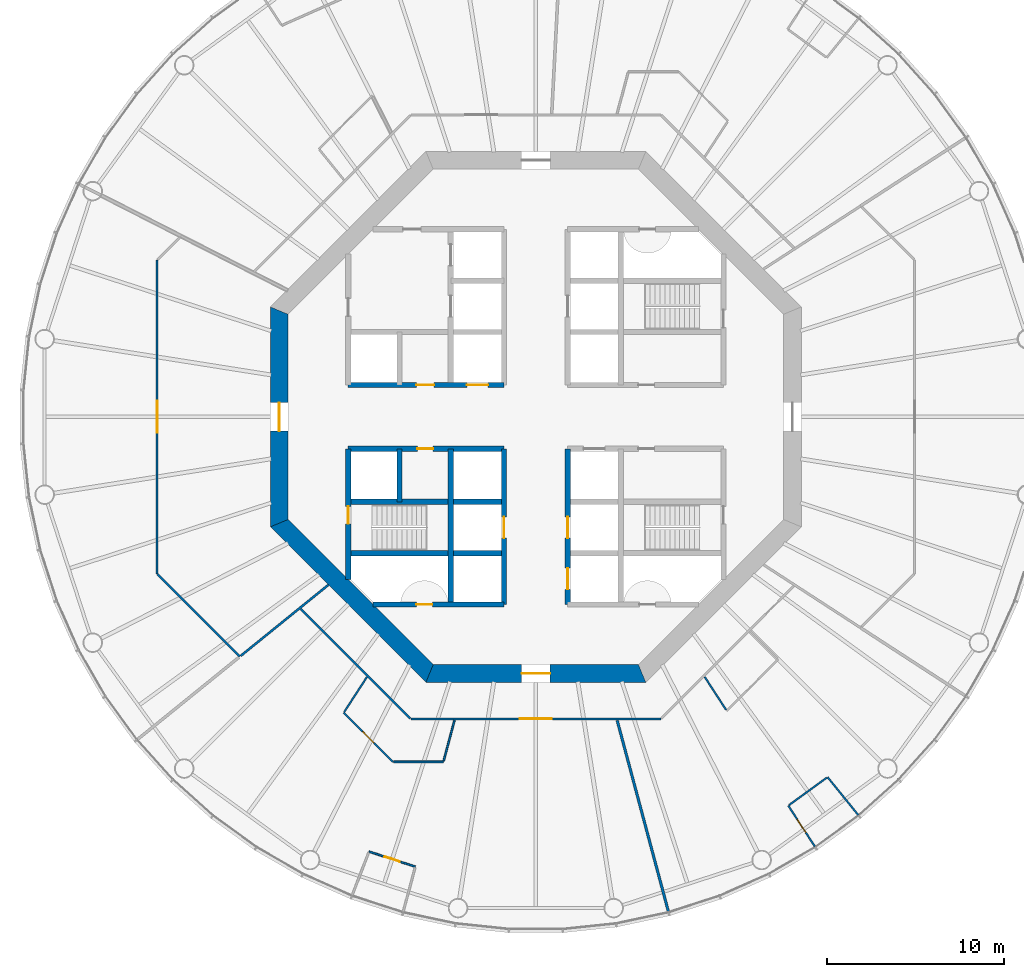
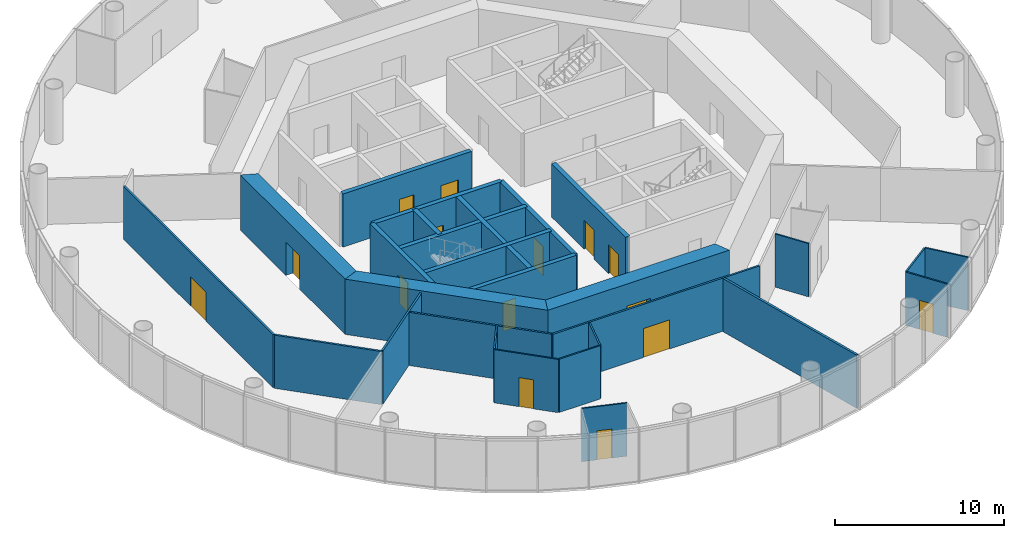
# One storey, part 3 of 13: 28 walls, 15 doors, 15 openings.
"""IFC4 building model written with IfcOpenShell, lengths in metres."""

from ifc_helpers import new_model, si_unit, direction, frame, frame_2d, origin, place, context, subcontext, project, spatial, polyline, rectangle, outline, extrude, material, layer, layer_set, type_object, element, fill, save


model = new_model("IFC4")

# Units and contexts
model_context = context("Model", 3, precision=1e-05, world=origin(), true_north=direction((0.0, 1.0)))
body_context = subcontext(model_context, "Body", "Model", "MODEL_VIEW")
ifc_project = project(units=[si_unit("LENGTHUNIT", "METRE"), si_unit("AREAUNIT", "SQUARE_METRE"), si_unit("VOLUMEUNIT", "CUBIC_METRE"), si_unit("PLANEANGLEUNIT", "RADIAN"), si_unit("MASSUNIT", "GRAM", prefix="KILO")], contexts=[model_context])

# Site, building, storey
site_placement = place(None, origin())
site = spatial("IfcSite", under=ifc_project, at=site_placement, CompositionType="ELEMENT")
building_placement = place(site_placement, origin())
building = spatial("IfcBuilding", under=site, at=building_placement, Name="Entoto Ring Tower", CompositionType="ELEMENT")
storey_placement = place(building_placement, frame((0.0, 0.0, 168.0)))
storey = spatial("IfcBuildingStorey", under=building, at=storey_placement, Name="L38", CompositionType="ELEMENT", Elevation=168.0)

# Wall, openings, doors
ifc_material_1 = material(Name="Concrete C40/50", Category="concrete")
ifc_layer_1 = layer(ifc_material_1, 0.300048828125)
ifc_layer_set_1 = layer_set([ifc_layer_1], Name="Concrete C40/50")
wall_type_1 = type_object("IfcWallType", Name="Core enclosure wall 300 mm reinforced concrete", PredefinedType="SOLIDWALL", material=ifc_layer_set_1)
wall_1_placement = place(storey_placement, frame((91.800048828125, 69.39990234375, 0.0), z_axis=(0.0, 0.0, 1.0), x_axis=(0.0, 1.0, 0.0)))
wall_1 = element("IfcWall", 1, at=wall_1_placement, inside=storey, type_object=wall_type_1, Name="wall-L38-005", PredefinedType="SOLIDWALL", context=body_context, shape_type="SweptSolid", body=[
    extrude(rectangle(XDim=8.800048828125, YDim=0.300048828125, at=frame_2d((4.39990234375, 0.0))), origin(), (0.0, 0.0, 1.0), 3.85009765625),
])
opening_1_placement = place(wall_1_placement, frame((3.75, 0.0, 0.0)))
opening_1 = element("IfcOpeningElement", 2, at=opening_1_placement, cuts=wall_1, Name="Opening LD", PredefinedType="OPENING", context=body_context, shape_type="SweptSolid", body=[
    extrude(rectangle(XDim=1.199951171875, YDim=2.10009765625, at=frame_2d((0.60009765625, 1.050048828125))), frame((0.0, 0.16015625, 0.0), z_axis=(0.0, -1.0, 0.0), x_axis=(1.0, 0.0, 0.0)), (0.0, 0.0, 1.0), 0.320068359375),
])
opening_2_placement = place(wall_1_placement, frame((0.85009765625, 0.0, 0.0)))
opening_2 = element("IfcOpeningElement", 3, at=opening_2_placement, cuts=wall_1, Name="Opening LD", PredefinedType="OPENING", context=body_context, shape_type="SweptSolid", body=[
    extrude(rectangle(XDim=1.199951171875, YDim=2.10009765625, at=frame_2d((0.60009765625, 1.050048828125))), frame((0.0, 0.16015625, 0.0), z_axis=(0.0, -1.0, 0.0), x_axis=(1.0, 0.0, 0.0)), (0.0, 0.0, 1.0), 0.320068359375),
])
ifc_material_2 = material(Name="Steel and glass door leaf", Category="steel")
ifc_layer_2 = layer(ifc_material_2, 0.050048828125)
ifc_layer_set_2 = layer_set([ifc_layer_2], Name="Steel and glass door leaf")
door_type_1 = type_object("IfcDoorType", Name="Landing door 1200 x 2100 sliding", OperationType="DOUBLE_DOOR_SLIDING", PredefinedType="DOOR", material=ifc_layer_set_2)
door_1_placement = place(opening_1_placement, origin())
door_1 = element("IfcDoor", 4, at=door_1_placement, inside=storey, type_object=door_type_1, Name="Landing door LB2-MR", OperationType="SLIDING_TO_RIGHT", OverallHeight=2.10009765625, OverallWidth=1.199951171875, PredefinedType="DOOR", context=body_context, shape_type="SweptSolid", body=[
    extrude(rectangle(XDim=1.199951171875, YDim=2.10009765625, at=frame_2d((0.60009765625, 1.050048828125))), frame((0.0, 0.02490234375, 0.0), z_axis=(0.0, -1.0, 0.0), x_axis=(1.0, 0.0, 0.0)), (0.0, 0.0, 1.0), 0.050048828125),
])
fill(opening_1, door_1)
door_2_placement = place(opening_2_placement, origin())
door_2 = element("IfcDoor", 5, at=door_2_placement, inside=storey, type_object=door_type_1, Name="Landing door LB3-MR", OperationType="SLIDING_TO_RIGHT", OverallHeight=2.10009765625, OverallWidth=1.199951171875, PredefinedType="DOOR", context=body_context, shape_type="SweptSolid", body=[
    extrude(rectangle(XDim=1.199951171875, YDim=2.10009765625, at=frame_2d((0.60009765625, 1.050048828125))), frame((0.0, 0.02490234375, 0.0), z_axis=(0.0, -1.0, 0.0), x_axis=(1.0, 0.0, 0.0)), (0.0, 0.0, 1.0), 0.050048828125),
])
fill(opening_2, door_2)

# Wall, opening, door
wall_2_placement = place(storey_placement, frame((88.199951171875, 69.39990234375, 0.0), z_axis=(0.0, 0.0, 1.0), x_axis=(0.0, 1.0, 0.0)))
wall_2 = element("IfcWall", 6, at=wall_2_placement, inside=storey, type_object=wall_type_1, Name="wall-L38-007", PredefinedType="SOLIDWALL", context=body_context, shape_type="SweptSolid", body=[
    extrude(rectangle(XDim=8.800048828125, YDim=0.300048828125, at=frame_2d((4.39990234375, 0.0))), origin(), (0.0, 0.0, 1.0), 3.85009765625),
])
opening_3_placement = place(wall_2_placement, frame((3.75, 0.0, 0.0)))
opening_3 = element("IfcOpeningElement", 7, at=opening_3_placement, cuts=wall_2, Name="Opening LD", PredefinedType="OPENING", context=body_context, shape_type="SweptSolid", body=[
    extrude(rectangle(XDim=1.199951171875, YDim=2.10009765625, at=frame_2d((0.60009765625, 1.050048828125))), frame((0.0, 0.16015625, 0.0), z_axis=(0.0, -1.0, 0.0), x_axis=(1.0, 0.0, 0.0)), (0.0, 0.0, 1.0), 0.320068359375),
])
door_3_placement = place(opening_3_placement, origin())
door_3 = element("IfcDoor", 8, at=door_3_placement, inside=storey, type_object=door_type_1, Name="Landing door LB4-MR", OperationType="SLIDING_TO_RIGHT", OverallHeight=2.10009765625, OverallWidth=1.199951171875, PredefinedType="DOOR", context=body_context, shape_type="SweptSolid", body=[
    extrude(rectangle(XDim=1.199951171875, YDim=2.10009765625, at=frame_2d((0.60009765625, 1.050048828125))), frame((0.0, 0.02490234375, 0.0), z_axis=(0.0, -1.0, 0.0), x_axis=(1.0, 0.0, 0.0)), (0.0, 0.0, 1.0), 0.050048828125),
])
fill(opening_3, door_3)

# Walls
wall_3_placement = place(storey_placement, frame((85.199951171875, 69.39990234375, 0.0), z_axis=(0.0, 0.0, 1.0), x_axis=(0.0, 1.0, 0.0)))
element("IfcWall", 9, at=wall_3_placement, inside=storey, type_object=wall_type_1, Name="wall-L38-009", PredefinedType="SOLIDWALL", context=body_context, shape_type="SweptSolid", body=[
    extrude(rectangle(XDim=8.800048828125, YDim=0.300048828125, at=frame_2d((4.39990234375, 0.0))), origin(), (0.0, 0.0, 1.0), 3.85009765625),
])
wall_4_placement = place(storey_placement, frame((82.300048828125, 75.199951171875, 0.0), z_axis=(0.0, 0.0, 1.0), x_axis=(0.0, 1.0, 0.0)))
element("IfcWall", 10, at=wall_4_placement, inside=storey, type_object=wall_type_1, Name="wall-L38-011", PredefinedType="SOLIDWALL", context=body_context, shape_type="SweptSolid", body=[
    extrude(rectangle(XDim=3.0, YDim=0.300048828125, at=frame_2d((1.5, 0.0))), origin(), (0.0, 0.0, 1.0), 3.85009765625),
])

# Wall, opening, door
wall_5_placement = place(storey_placement, frame((79.39990234375, 70.801025390625, 0.0), z_axis=(0.0, 0.0, 1.0), x_axis=(0.0, 1.0, 0.0)))
wall_5 = element("IfcWall", 11, at=wall_5_placement, inside=storey, type_object=wall_type_1, Name="wall-L38-013", PredefinedType="SOLIDWALL", context=body_context, shape_type="SweptSolid", body=[
    extrude(rectangle(XDim=7.39892578125, YDim=0.300048828125, at=frame_2d((3.699462890625, 0.0))), origin(), (0.0, 0.0, 1.0), 3.85009765625),
])
opening_4_placement = place(wall_5_placement, frame((3.14892578125, 0.0, 0.0)))
opening_4 = element("IfcOpeningElement", 12, at=opening_4_placement, cuts=wall_5, Name="Opening K-55", PredefinedType="OPENING", context=body_context, shape_type="SweptSolid", body=[
    extrude(rectangle(XDim=1.0, YDim=2.10009765625, at=frame_2d((0.5, 1.050048828125))), frame((0.0, 0.16015625, 0.0), z_axis=(0.0, -1.0, 0.0), x_axis=(1.0, 0.0, 0.0)), (0.0, 0.0, 1.0), 0.320068359375),
])
ifc_material_3 = material(Name="Steel door leaf, fire rated", Category="steel")
ifc_layer_3 = layer(ifc_material_3, 0.050048828125)
ifc_layer_set_3 = layer_set([ifc_layer_3], Name="Steel door leaf, fire rated")
door_type_2 = type_object("IfcDoorType", Name="Fire door FD60 1000 x 2100 single leaf", OperationType="NOTDEFINED", PredefinedType="DOOR", material=ifc_layer_set_3)
door_4_placement = place(opening_4_placement, frame((1.0, 0.0, 0.0), z_axis=(0.0, 0.0, 1.0), x_axis=(-1.0, 0.0, 0.0)))
door_4 = element("IfcDoor", 13, at=door_4_placement, inside=storey, type_object=door_type_2, Name="Door K-55", OperationType="SINGLE_SWING_LEFT", OverallHeight=2.10009765625, OverallWidth=1.0, PredefinedType="DOOR", context=body_context, shape_type="SweptSolid", body=[
    extrude(rectangle(XDim=1.0, YDim=2.10009765625, at=frame_2d((0.5, 1.050048828125))), frame((0.0, 0.02490234375, 0.0), z_axis=(0.0, -1.0, 0.0), x_axis=(1.0, 0.0, 0.0)), (0.0, 0.0, 1.0), 0.050048828125),
])
fill(opening_4, door_4)

wall_6_placement = place(storey_placement, frame((80.801025390625, 69.39990234375, 0.0), z_axis=(0.0, 0.0, 1.0), x_axis=(1.0, 0.0, 0.0)))
wall_6 = element("IfcWall", 14, at=wall_6_placement, inside=storey, type_object=wall_type_1, Name="wall-L38-015", PredefinedType="SOLIDWALL", context=body_context, shape_type="SweptSolid", body=[
    extrude(rectangle(XDim=7.39892578125, YDim=0.300048828125, at=frame_2d((3.699462890625, 0.0))), origin(), (0.0, 0.0, 1.0), 3.85009765625),
])
opening_5_placement = place(wall_6_placement, frame((2.448974609375, 0.0, 0.0)))
opening_5 = element("IfcOpeningElement", 15, at=opening_5_placement, cuts=wall_6, Name="Opening K-62", PredefinedType="OPENING", context=body_context, shape_type="SweptSolid", body=[
    extrude(rectangle(XDim=0.89990234375, YDim=2.10009765625, at=frame_2d((0.449951171875, 1.050048828125))), frame((0.0, 0.16015625, 0.0), z_axis=(0.0, -1.0, 0.0), x_axis=(1.0, 0.0, 0.0)), (0.0, 0.0, 1.0), 0.320068359375),
])
ifc_material_4 = material(Name="Steel door leaf, fire rated", Category="steel")
ifc_layer_4 = layer(ifc_material_4, 0.050048828125)
ifc_layer_set_4 = layer_set([ifc_layer_4], Name="Steel door leaf, fire rated")
door_type_3 = type_object("IfcDoorType", Name="Riser door FD60 900 x 2100 single leaf", OperationType="NOTDEFINED", PredefinedType="DOOR", material=ifc_layer_set_4)
door_5_placement = place(opening_5_placement, origin())
door_5 = element("IfcDoor", 16, at=door_5_placement, inside=storey, type_object=door_type_3, Name="Door K-62", OperationType="SINGLE_SWING_RIGHT", OverallHeight=2.10009765625, OverallWidth=0.89990234375, PredefinedType="DOOR", context=body_context, shape_type="SweptSolid", body=[
    extrude(rectangle(XDim=0.89990234375, YDim=2.10009765625, at=frame_2d((0.449951171875, 1.050048828125))), frame((0.0, 0.02490234375, 0.0), z_axis=(0.0, -1.0, 0.0), x_axis=(1.0, 0.0, 0.0)), (0.0, 0.0, 1.0), 0.050048828125),
])
fill(opening_5, door_5)

# Walls
for number, where, z_axis, x_axis, name in (
    (17, (79.39990234375, 72.300048828125, 0.0), (0.0, 0.0, 1.0), (1.0, 0.0, 0.0), "wall-L38-017"),
    (18, (79.39990234375, 75.199951171875, 0.0), (0.0, 0.0, 1.0), (1.0, 0.0, 0.0), "wall-L38-019"),
):
    element("IfcWall", number, at=place(storey_placement, frame(where, z_axis=z_axis, x_axis=x_axis)), inside=storey, type_object=wall_type_1, Name=name, PredefinedType="SOLIDWALL", context=body_context, shape_type="SweptSolid", body=[
        extrude(rectangle(XDim=8.800048828125, YDim=0.300048828125, at=frame_2d((4.39990234375, 0.0))), origin(), (0.0, 0.0, 1.0), 3.85009765625),
    ])

# Wall, opening, door
wall_7_placement = place(storey_placement, frame((79.39990234375, 78.199951171875, 0.0), z_axis=(0.0, 0.0, 1.0), x_axis=(1.0, 0.0, 0.0)))
wall_7 = element("IfcWall", 19, at=wall_7_placement, inside=storey, type_object=wall_type_1, Name="wall-L38-021", PredefinedType="SOLIDWALL", context=body_context, shape_type="SweptSolid", body=[
    extrude(rectangle(XDim=8.800048828125, YDim=0.300048828125, at=frame_2d((4.39990234375, 0.0))), origin(), (0.0, 0.0, 1.0), 3.85009765625),
])
opening_6_placement = place(wall_7_placement, frame((3.89990234375, 0.0, 0.0)))
opening_6 = element("IfcOpeningElement", 20, at=opening_6_placement, cuts=wall_7, Name="Opening K-14", PredefinedType="OPENING", context=body_context, shape_type="SweptSolid", body=[
    extrude(rectangle(XDim=0.89990234375, YDim=2.10009765625, at=frame_2d((0.449951171875, 1.050048828125))), frame((0.0, 0.16015625, 0.0), z_axis=(0.0, -1.0, 0.0), x_axis=(1.0, 0.0, 0.0)), (0.0, 0.0, 1.0), 0.320068359375),
])
ifc_material_5 = material(Name="Steel door leaf, fire rated", Category="steel")
ifc_layer_5 = layer(ifc_material_5, 0.050048828125)
ifc_layer_set_5 = layer_set([ifc_layer_5], Name="Steel door leaf, fire rated")
door_type_4 = type_object("IfcDoorType", Name="Core door 900 x 2100 single leaf", OperationType="NOTDEFINED", PredefinedType="DOOR", material=ifc_layer_set_5)
door_6_placement = place(opening_6_placement, frame((0.89990234375, 0.0, 0.0), z_axis=(0.0, 0.0, 1.0), x_axis=(-1.0, 0.0, 0.0)))
door_6 = element("IfcDoor", 21, at=door_6_placement, inside=storey, type_object=door_type_4, Name="Door K-14", OperationType="SINGLE_SWING_LEFT", OverallHeight=2.10009765625, OverallWidth=0.89990234375, PredefinedType="DOOR", context=body_context, shape_type="SweptSolid", body=[
    extrude(rectangle(XDim=0.89990234375, YDim=2.10009765625, at=frame_2d((0.449951171875, 1.050048828125))), frame((0.0, 0.02490234375, 0.0), z_axis=(0.0, -1.0, 0.0), x_axis=(1.0, 0.0, 0.0)), (0.0, 0.0, 1.0), 0.050048828125),
])
fill(opening_6, door_6)

# Wall, openings, doors
wall_8_placement = place(storey_placement, frame((79.39990234375, 81.800048828125, 0.0), z_axis=(0.0, 0.0, 1.0), x_axis=(1.0, 0.0, 0.0)))
wall_8 = element("IfcWall", 22, at=wall_8_placement, inside=storey, type_object=wall_type_1, Name="wall-L38-023", PredefinedType="SOLIDWALL", context=body_context, shape_type="SweptSolid", body=[
    extrude(rectangle(XDim=8.800048828125, YDim=0.300048828125, at=frame_2d((4.39990234375, 0.0))), origin(), (0.0, 0.0, 1.0), 3.85009765625),
])
opening_7_placement = place(wall_8_placement, frame((6.699951171875, 0.0, 0.0)))
opening_7 = element("IfcOpeningElement", 23, at=opening_7_placement, cuts=wall_8, Name="Opening LD", PredefinedType="OPENING", context=body_context, shape_type="SweptSolid", body=[
    extrude(rectangle(XDim=1.199951171875, YDim=2.10009765625, at=frame_2d((0.60009765625, 1.050048828125))), frame((0.0, 0.16015625, 0.0), z_axis=(0.0, -1.0, 0.0), x_axis=(1.0, 0.0, 0.0)), (0.0, 0.0, 1.0), 0.320068359375),
])
opening_8_placement = place(wall_8_placement, frame((3.85009765625, 0.0, 0.0)))
opening_8 = element("IfcOpeningElement", 24, at=opening_8_placement, cuts=wall_8, Name="Opening K-13", PredefinedType="OPENING", context=body_context, shape_type="SweptSolid", body=[
    extrude(rectangle(XDim=1.0, YDim=2.10009765625, at=frame_2d((0.5, 1.050048828125))), frame((0.0, 0.16015625, 0.0), z_axis=(0.0, -1.0, 0.0), x_axis=(1.0, 0.0, 0.0)), (0.0, 0.0, 1.0), 0.320068359375),
])
ifc_material_6 = material(Name="Steel door leaf, fire rated", Category="steel")
ifc_layer_6 = layer(ifc_material_6, 0.050048828125)
ifc_layer_set_6 = layer_set([ifc_layer_6], Name="Steel door leaf, fire rated")
door_type_5 = type_object("IfcDoorType", Name="Accessible door 1000 x 2100 single leaf", OperationType="NOTDEFINED", PredefinedType="DOOR", material=ifc_layer_set_6)
door_7_placement = place(opening_8_placement, origin())
door_7 = element("IfcDoor", 25, at=door_7_placement, inside=storey, type_object=door_type_5, Name="Door K-13", OperationType="SINGLE_SWING_LEFT", OverallHeight=2.10009765625, OverallWidth=1.0, PredefinedType="DOOR", context=body_context, shape_type="SweptSolid", body=[
    extrude(rectangle(XDim=1.0, YDim=2.10009765625, at=frame_2d((0.5, 1.050048828125))), frame((0.0, 0.02490234375, 0.0), z_axis=(0.0, -1.0, 0.0), x_axis=(1.0, 0.0, 0.0)), (0.0, 0.0, 1.0), 0.050048828125),
])
fill(opening_8, door_7)
door_8_placement = place(opening_7_placement, origin())
door_8 = element("IfcDoor", 26, at=door_8_placement, inside=storey, type_object=door_type_1, Name="Landing door LB5-MR", OperationType="SLIDING_TO_LEFT", OverallHeight=2.10009765625, OverallWidth=1.199951171875, PredefinedType="DOOR", context=body_context, shape_type="SweptSolid", body=[
    extrude(rectangle(XDim=1.199951171875, YDim=2.10009765625, at=frame_2d((0.60009765625, 1.050048828125))), frame((0.0, 0.02490234375, 0.0), z_axis=(0.0, -1.0, 0.0), x_axis=(1.0, 0.0, 0.0)), (0.0, 0.0, 1.0), 0.050048828125),
])
fill(opening_7, door_8)

# Wall, opening, door
ifc_material_7 = material(Name="Concrete C50/60", Category="concrete")
ifc_layer_7 = layer(ifc_material_7, 1.0)
ifc_layer_set_7 = layer_set([ifc_layer_7], Name="Concrete C50/60")
wall_type_2 = type_object("IfcWallType", Name="Core shear wall 1000 mm reinforced concrete C50/60", PredefinedType="SHEAR", material=ifc_layer_set_7)
wall_9_placement = place(storey_placement, frame((75.5, 86.006103515625, 0.0), z_axis=(0.0, 0.0, 1.0), x_axis=(0.0, -1.0, 0.0)))
wall_9 = element("IfcWall", 27, at=wall_9_placement, inside=storey, type_object=wall_type_2, Name="wall-L38-core-4", PredefinedType="SHEAR", context=body_context, shape_type="SweptSolid", body=[
    extrude(outline(polyline([(-0.20703125, -0.5), (12.21923828125, -0.5), (11.80517578125, 0.5), (0.20703125, 0.5), (-0.20703125, -0.5)])), origin(), (0.0, 0.0, 1.0), 4.0),
])
opening_9_placement = place(wall_9_placement, frame((5.2060546875, 0.0, 0.0)))
opening_9 = element("IfcOpeningElement", 28, at=opening_9_placement, cuts=wall_9, Name="Opening K-03", PredefinedType="OPENING", context=body_context, shape_type="SweptSolid", body=[
    extrude(rectangle(XDim=1.60009765625, YDim=2.39990234375, at=frame_2d((0.800048828125, 1.199951171875))), frame((0.0, 0.510009765625, 0.0), z_axis=(0.0, -1.0, 0.0), x_axis=(1.0, 0.0, 0.0)), (0.0, 0.0, 1.0), 1.02001953125),
])
ifc_material_8 = material(Name="Steel door leaf, fire rated", Category="steel")
ifc_layer_8 = layer(ifc_material_8, 0.050048828125)
ifc_layer_set_8 = layer_set([ifc_layer_8], Name="Steel door leaf, fire rated")
door_type_6 = type_object("IfcDoorType", Name="Entrance door FD60 1600 x 2400 double leaf", OperationType="DOUBLE_DOOR_SINGLE_SWING", PredefinedType="DOOR", material=ifc_layer_set_8)
door_9_placement = place(opening_9_placement, origin())
door_9 = element("IfcDoor", 29, at=door_9_placement, inside=storey, type_object=door_type_6, Name="Entrance door K-03", OperationType="DOUBLE_DOOR_SINGLE_SWING", OverallHeight=2.39990234375, OverallWidth=1.60009765625, PredefinedType="DOOR", context=body_context, shape_type="SweptSolid", body=[
    extrude(rectangle(XDim=1.60009765625, YDim=2.39990234375, at=frame_2d((0.800048828125, 1.199951171875))), frame((0.0, 0.02490234375, 0.0), z_axis=(0.0, -1.0, 0.0), x_axis=(1.0, 0.0, 0.0)), (0.0, 0.0, 1.0), 0.050048828125),
])
fill(opening_9, door_9)

# Wall
wall_10_placement = place(storey_placement, frame((75.5, 73.993896484375, 0.0), z_axis=(0.0, 0.0, 1.0), x_axis=(0.707106781187, -0.707106781187, 0.0)))
element("IfcWall", 30, at=wall_10_placement, inside=storey, type_object=wall_type_2, Name="wall-L38-core-5", PredefinedType="SHEAR", context=body_context, shape_type="SweptSolid", body=[
    extrude(outline(polyline([(-0.20703125, -0.5), (12.21923828125, -0.5), (11.80517578125, 0.5), (0.20703125, 0.5), (-0.20703125, -0.5)])), origin(), (0.0, 0.0, 1.0), 4.0),
])

# Wall, opening, door
wall_11_placement = place(storey_placement, frame((83.993896484375, 65.5, 0.0), z_axis=(0.0, 0.0, 1.0), x_axis=(1.0, 0.0, 0.0)))
wall_11 = element("IfcWall", 31, at=wall_11_placement, inside=storey, type_object=wall_type_2, Name="wall-L38-core-6", PredefinedType="SHEAR", context=body_context, shape_type="SweptSolid", body=[
    extrude(outline(polyline([(-0.20703125, -0.5), (12.21923828125, -0.5), (11.80517578125, 0.5), (0.20703125, 0.5), (-0.20703125, -0.5)])), origin(), (0.0, 0.0, 1.0), 4.0),
])
opening_10_placement = place(wall_11_placement, frame((5.2060546875, 0.0, 0.0)))
opening_10 = element("IfcOpeningElement", 32, at=opening_10_placement, cuts=wall_11, Name="Opening K-04", PredefinedType="OPENING", context=body_context, shape_type="SweptSolid", body=[
    extrude(rectangle(XDim=1.60009765625, YDim=2.39990234375, at=frame_2d((0.800048828125, 1.199951171875))), frame((0.0, 0.510009765625, 0.0), z_axis=(0.0, -1.0, 0.0), x_axis=(1.0, 0.0, 0.0)), (0.0, 0.0, 1.0), 1.02001953125),
])
door_10_placement = place(opening_10_placement, origin())
door_10 = element("IfcDoor", 33, at=door_10_placement, inside=storey, type_object=door_type_6, Name="Entrance door K-04", OperationType="DOUBLE_DOOR_SINGLE_SWING", OverallHeight=2.39990234375, OverallWidth=1.60009765625, PredefinedType="DOOR", context=body_context, shape_type="SweptSolid", body=[
    extrude(rectangle(XDim=1.60009765625, YDim=2.39990234375, at=frame_2d((0.800048828125, 1.199951171875))), frame((0.0, 0.02490234375, 0.0), z_axis=(0.0, -1.0, 0.0), x_axis=(1.0, 0.0, 0.0)), (0.0, 0.0, 1.0), 0.050048828125),
])
fill(opening_10, door_10)

ifc_material_9 = material(Name="Fire-resisting plasterboard on steel studs", Category="steel")
ifc_layer_9 = layer(ifc_material_9, 0.125)
ifc_layer_set_9 = layer_set([ifc_layer_9], Name="Fire-resisting plasterboard on steel studs")
wall_type_3 = type_object("IfcWallType", Name="Corridor wall 125 mm one-hour plasterboard on steel studs", PredefinedType="PARTITIONING", material=ifc_layer_set_9)
wall_12_placement = place(storey_placement, frame((68.60009765625, 71.1357421875, 0.0), z_axis=(0.0, 0.0, 1.0), x_axis=(0.0, 1.0, 0.0)))
wall_12 = element("IfcWall", 34, at=wall_12_placement, inside=storey, type_object=wall_type_3, Name="partition-L38-001", PredefinedType="PARTITIONING", context=body_context, shape_type="SweptSolid", body=[
    extrude(rectangle(XDim=17.728515625, YDim=0.125, at=frame_2d((8.8642578125, 0.0))), origin(), (0.0, 0.0, 1.0), 3.85009765625),
])
opening_11_placement = place(wall_12_placement, frame((7.964111328125, 0.0, 0.0)))
opening_11 = element("IfcOpeningElement", 35, at=opening_11_placement, cuts=wall_12, Name="Opening A17-D02", PredefinedType="OPENING", context=body_context, shape_type="SweptSolid", body=[
    extrude(rectangle(XDim=1.800048828125, YDim=2.10009765625, at=frame_2d((0.89990234375, 1.050048828125))), frame((0.0, 0.072509765625, 0.0), z_axis=(0.0, -1.0, 0.0), x_axis=(1.0, 0.0, 0.0)), (0.0, 0.0, 1.0), 0.14501953125),
])
ifc_material_10 = material(Name="Fire-resisting timber door set", Category="wood")
door_type_7 = type_object("IfcDoorType", Name="Door 1800 x 2100 double leaf FD30S fire door", OperationType="DOUBLE_DOOR_SINGLE_SWING", PredefinedType="DOOR", material=ifc_material_10)
door_11_placement = place(opening_11_placement, origin())
door_11 = element("IfcDoor", 36, at=door_11_placement, inside=storey, type_object=door_type_7, Name="Door A17-D02", OperationType="DOUBLE_DOOR_SINGLE_SWING", OverallHeight=2.10009765625, OverallWidth=1.800048828125, PredefinedType="DOOR", context=body_context, shape_type="SweptSolid", body=[
    extrude(rectangle(XDim=1.800048828125, YDim=2.10009765625, at=frame_2d((0.89990234375, 1.050048828125))), frame((0.0, 0.02490234375, 0.0), z_axis=(0.0, -1.0, 0.0), x_axis=(1.0, 0.0, 0.0)), (0.0, 0.0, 1.0), 0.050048828125),
])
fill(opening_11, door_11)

wall_13_placement = place(storey_placement, frame((82.9326171875, 62.9375, 0.0), z_axis=(0.0, 0.0, 1.0), x_axis=(1.0, 0.0, 0.0)))
wall_13 = element("IfcWall", 37, at=wall_13_placement, inside=storey, type_object=wall_type_3, Name="partition-L38-003", PredefinedType="PARTITIONING", context=body_context, shape_type="SweptSolid", body=[
    extrude(rectangle(XDim=14.134765625, YDim=0.125, at=frame_2d((7.0673828125, 0.0))), origin(), (0.0, 0.0, 1.0), 3.85009765625),
])
opening_12_placement = place(wall_13_placement, frame((6.16748046875, 0.0, 0.0)))
opening_12 = element("IfcOpeningElement", 38, at=opening_12_placement, cuts=wall_13, Name="Opening A17-D09", PredefinedType="OPENING", context=body_context, shape_type="SweptSolid", body=[
    extrude(rectangle(XDim=1.800048828125, YDim=2.10009765625, at=frame_2d((0.89990234375, 1.050048828125))), frame((0.0, 0.072509765625, 0.0), z_axis=(0.0, -1.0, 0.0), x_axis=(1.0, 0.0, 0.0)), (0.0, 0.0, 1.0), 0.14501953125),
])
door_12_placement = place(opening_12_placement, frame((1.800048828125, 0.0, 0.0), z_axis=(0.0, 0.0, 1.0), x_axis=(-1.0, 0.0, 0.0)))
door_12 = element("IfcDoor", 39, at=door_12_placement, inside=storey, type_object=door_type_7, Name="Door A17-D09", OperationType="DOUBLE_DOOR_SINGLE_SWING", OverallHeight=2.10009765625, OverallWidth=1.800048828125, PredefinedType="DOOR", context=body_context, shape_type="SweptSolid", body=[
    extrude(rectangle(XDim=1.800048828125, YDim=2.10009765625, at=frame_2d((0.89990234375, 1.050048828125))), frame((0.0, 0.02490234375, 0.0), z_axis=(0.0, -1.0, 0.0), x_axis=(1.0, 0.0, 0.0)), (0.0, 0.0, 1.0), 0.050048828125),
])
fill(opening_12, door_12)

# Walls
wall_14_placement = place(storey_placement, frame((82.9013671875, 62.968505859375, 0.0), z_axis=(0.0, 0.0, 1.0), x_axis=(-0.707092826187, 0.70712073591, 0.0)))
element("IfcWall", 40, at=wall_14_placement, inside=storey, type_object=wall_type_3, Name="partition-L38-008", PredefinedType="PARTITIONING", context=body_context, shape_type="SweptSolid", body=[
    extrude(rectangle(XDim=8.74755859375, YDim=0.125, at=frame_2d((4.373779296875, 0.0))), origin(), (0.0, 0.0, 1.0), 3.85009765625),
])
wall_15_placement = place(storey_placement, frame((73.277587890625, 66.45849609375, 0.0), z_axis=(0.0, 0.0, 1.0), x_axis=(-0.707125358217, 0.707088203668, 0.0)))
element("IfcWall", 41, at=wall_15_placement, inside=storey, type_object=wall_type_3, Name="partition-L38-010", PredefinedType="PARTITIONING", context=body_context, shape_type="SweptSolid", body=[
    extrude(rectangle(XDim=6.571044921875, YDim=0.125, at=frame_2d((3.28564453125, 0.0))), origin(), (0.0, 0.0, 1.0), 3.85009765625),
])
wall_16_placement = place(storey_placement, frame((73.32568359375, 66.49755859375, 0.0), z_axis=(0.0, 0.0, 1.0), x_axis=(0.777147622925, 0.629318339302, 0.0)))
element("IfcWall", 42, at=wall_16_placement, inside=storey, type_object=wall_type_3, Name="partition-L38-013", PredefinedType="PARTITIONING", context=body_context, shape_type="SweptSolid", body=[
    extrude(rectangle(XDim=6.373046875, YDim=0.125, at=frame_2d((3.1865234375, 0.0))), origin(), (0.0, 0.0, 1.0), 3.85009765625),
])

# Wall, opening, door
ifc_material_11 = material(Name="Plasterboard on steel studs", Category="steel")
ifc_layer_10 = layer(ifc_material_11, 0.10009765625)
ifc_layer_set_10 = layer_set([ifc_layer_10], Name="Plasterboard on steel studs")
wall_type_4 = type_object("IfcWallType", Name="Partition 100 mm plasterboard on steel studs", PredefinedType="PARTITIONING", material=ifc_layer_set_10)
wall_17_placement = place(storey_placement, frame((81.92578125, 60.507568359375, 0.0), z_axis=(0.0, 0.0, 1.0), x_axis=(-0.707075724824, 0.707137836185, 0.0)))
wall_17 = element("IfcWall", 43, at=wall_17_placement, inside=storey, type_object=wall_type_4, Name="partition-L38-027", PredefinedType="PARTITIONING", context=body_context, shape_type="SweptSolid", body=[
    extrude(rectangle(XDim=3.9306640625, YDim=0.10009765625, at=frame_2d((1.96533203125, 0.0))), origin(), (0.0, 0.0, 1.0), 3.85009765625),
])
opening_13_placement = place(wall_17_placement, frame((1.515380859375, 0.0, 0.0)))
opening_13 = element("IfcOpeningElement", 44, at=opening_13_placement, cuts=wall_17, Name="Opening A17-D10", PredefinedType="OPENING", context=body_context, shape_type="SweptSolid", body=[
    extrude(rectangle(XDim=0.89990234375, YDim=2.10009765625, at=frame_2d((0.449951171875, 1.050048828125))), frame((0.0, 0.06005859375, 0.0), z_axis=(0.0, -1.0, 0.0), x_axis=(1.0, 0.0, 0.0)), (0.0, 0.0, 1.0), 0.1201171875),
])
ifc_material_12 = material(Name="Veneered timber door leaf in timber frame", Category="wood")
door_type_8 = type_object("IfcDoorType", Name="Door 900 x 2100 single leaf timber veneer", OperationType="NOTDEFINED", PredefinedType="DOOR", material=ifc_material_12)
door_13_placement = place(opening_13_placement, frame((0.89990234375, 0.0, 0.0), z_axis=(0.0, 0.0, 1.0), x_axis=(-1.0, 0.0, 0.0)))
door_13 = element("IfcDoor", 45, at=door_13_placement, inside=storey, type_object=door_type_8, Name="Door A17-D10", OperationType="SINGLE_SWING_LEFT", OverallHeight=2.10009765625, OverallWidth=0.89990234375, PredefinedType="DOOR", context=body_context, shape_type="SweptSolid", body=[
    extrude(rectangle(XDim=0.89990234375, YDim=2.10009765625, at=frame_2d((0.449951171875, 1.050048828125))), frame((0.0, 0.02490234375, 0.0), z_axis=(0.0, -1.0, 0.0), x_axis=(1.0, 0.0, 0.0)), (0.0, 0.0, 1.0), 0.050048828125),
])
fill(opening_13, door_13)

# Wall
wall_18_placement = place(storey_placement, frame((81.961181640625, 60.507568359375, 0.0), z_axis=(0.0, 0.0, 1.0), x_axis=(1.0, 0.0, 0.0)))
element("IfcWall", 46, at=wall_18_placement, inside=storey, type_object=wall_type_4, Name="partition-L38-029", PredefinedType="PARTITIONING", context=body_context, shape_type="SweptSolid", body=[
    extrude(rectangle(XDim=2.81591796875, YDim=0.10009765625, at=frame_2d((1.407958984375, 0.0))), origin(), (0.0, 0.0, 1.0), 3.85009765625),
])

# Wall, opening, door
wall_19_placement = place(storey_placement, frame((83.1904296875, 54.58642578125, 0.0), z_axis=(0.0, 0.0, 1.0), x_axis=(-0.951049702994, 0.309037962774, 0.0)))
wall_19 = element("IfcWall", 47, at=wall_19_placement, inside=storey, type_object=wall_type_4, Name="partition-L38-032", PredefinedType="PARTITIONING", context=body_context, shape_type="SweptSolid", body=[
    extrude(rectangle(XDim=2.75390625, YDim=0.10009765625, at=frame_2d((1.376953125, 0.0))), origin(), (0.0, 0.0, 1.0), 3.85009765625),
])
opening_14_placement = place(wall_19_placement, frame((0.927001953125, 0.0, 0.0)))
opening_14 = element("IfcOpeningElement", 48, at=opening_14_placement, cuts=wall_19, Name="Opening A17-D11", PredefinedType="OPENING", context=body_context, shape_type="SweptSolid", body=[
    extrude(rectangle(XDim=0.89990234375, YDim=2.10009765625, at=frame_2d((0.449951171875, 1.050048828125))), frame((0.0, 0.06005859375, 0.0), z_axis=(0.0, -1.0, 0.0), x_axis=(1.0, 0.0, 0.0)), (0.0, 0.0, 1.0), 0.1201171875),
])
door_14_placement = place(opening_14_placement, origin())
door_14 = element("IfcDoor", 49, at=door_14_placement, inside=storey, type_object=door_type_8, Name="Door A17-D11", OperationType="SINGLE_SWING_RIGHT", OverallHeight=2.10009765625, OverallWidth=0.89990234375, PredefinedType="DOOR", context=body_context, shape_type="SweptSolid", body=[
    extrude(rectangle(XDim=0.89990234375, YDim=2.10009765625, at=frame_2d((0.449951171875, 1.050048828125))), frame((0.0, 0.02490234375, 0.0), z_axis=(0.0, -1.0, 0.0), x_axis=(1.0, 0.0, 0.0)), (0.0, 0.0, 1.0), 0.050048828125),
])
fill(opening_14, door_14)

wall_20_placement = place(storey_placement, frame((105.761962890625, 55.72900390625, 0.0), z_axis=(0.0, 0.0, 1.0), x_axis=(-0.544682489576, 0.838642346623, 0.0)))
wall_20 = element("IfcWall", 50, at=wall_20_placement, inside=storey, type_object=wall_type_4, Name="partition-L38-033", PredefinedType="PARTITIONING", context=body_context, shape_type="SweptSolid", body=[
    extrude(rectangle(XDim=2.749755859375, YDim=0.10009765625, at=frame_2d((1.375, 0.0))), origin(), (0.0, 0.0, 1.0), 3.85009765625),
])
opening_15_placement = place(wall_20_placement, frame((0.925048828125, 0.0, 0.0)))
opening_15 = element("IfcOpeningElement", 51, at=opening_15_placement, cuts=wall_20, Name="Opening A17-D14", PredefinedType="OPENING", context=body_context, shape_type="SweptSolid", body=[
    extrude(rectangle(XDim=0.89990234375, YDim=2.10009765625, at=frame_2d((0.449951171875, 1.050048828125))), frame((0.0, 0.06005859375, 0.0), z_axis=(0.0, -1.0, 0.0), x_axis=(1.0, 0.0, 0.0)), (0.0, 0.0, 1.0), 0.1201171875),
])
door_15_placement = place(opening_15_placement, frame((0.89990234375, 0.0, 0.0), z_axis=(0.0, 0.0, 1.0), x_axis=(-1.0, 0.0, 0.0)))
door_15 = element("IfcDoor", 52, at=door_15_placement, inside=storey, type_object=door_type_8, Name="Door A17-D14", OperationType="SINGLE_SWING_RIGHT", OverallHeight=2.10009765625, OverallWidth=0.89990234375, PredefinedType="DOOR", context=body_context, shape_type="SweptSolid", body=[
    extrude(rectangle(XDim=0.89990234375, YDim=2.10009765625, at=frame_2d((0.449951171875, 1.050048828125))), frame((0.0, 0.02490234375, 0.0), z_axis=(0.0, -1.0, 0.0), x_axis=(1.0, 0.0, 0.0)), (0.0, 0.0, 1.0), 0.050048828125),
])
fill(opening_15, door_15)

# Walls
wall_21_placement = place(storey_placement, frame((108.21240234375, 57.509521484375, 0.0), z_axis=(0.0, 0.0, 1.0), x_axis=(-0.629318265291, 0.777147682858, 0.0)))
element("IfcWall", 53, at=wall_21_placement, inside=storey, type_object=wall_type_4, Name="partition-L38-034", PredefinedType="PARTITIONING", context=body_context, shape_type="SweptSolid", body=[
    extrude(rectangle(XDim=2.749755859375, YDim=0.10009765625, at=frame_2d((1.375, 0.0))), origin(), (0.0, 0.0, 1.0), 3.85009765625),
])
wall_22_placement = place(storey_placement, frame((104.304443359375, 58.064697265625, 0.0), z_axis=(0.0, 0.0, 1.0), x_axis=(0.809035750741, 0.587759435503, 0.0)))
element("IfcWall", 54, at=wall_22_placement, inside=storey, type_object=wall_type_4, Name="partition-L38-035", PredefinedType="PARTITIONING", context=body_context, shape_type="SweptSolid", body=[
    extrude(rectangle(XDim=2.641357421875, YDim=0.10009765625, at=frame_2d((1.32080078125, 0.0))), origin(), (0.0, 0.0, 1.0), 3.85009765625),
])
wall_23_placement = place(storey_placement, frame((84.78955078125, 60.553955078125, 0.0), z_axis=(0.0, 0.0, 1.0), x_axis=(0.258775235292, 0.965937564028, 0.0)))
element("IfcWall", 55, at=wall_23_placement, inside=storey, type_object=wall_type_4, Name="partition-L38-042", PredefinedType="PARTITIONING", context=body_context, shape_type="SweptSolid", body=[
    extrude(rectangle(XDim=2.3896484375, YDim=0.10009765625, at=frame_2d((1.19482421875, 0.0))), origin(), (0.0, 0.0, 1.0), 3.85009765625),
])
wall_24_placement = place(storey_placement, frame((79.173095703125, 63.327880859375, 0.0), z_axis=(0.0, 0.0, 1.0), x_axis=(0.544613944072, 0.838686861661, 0.0)))
element("IfcWall", 56, at=wall_24_placement, inside=storey, type_object=wall_type_4, Name="partition-L38-044", PredefinedType="PARTITIONING", context=body_context, shape_type="SweptSolid", body=[
    extrude(rectangle(XDim=2.361083984375, YDim=0.10009765625, at=frame_2d((1.1806640625, 0.0))), origin(), (0.0, 0.0, 1.0), 3.85009765625),
])
wall_25_placement = place(storey_placement, frame((100.753173828125, 63.441650390625, 0.0), z_axis=(0.0, 0.0, 1.0), x_axis=(-0.544660558482, 0.83865659005, 0.0)))
element("IfcWall", 57, at=wall_25_placement, inside=storey, type_object=wall_type_4, Name="partition-L38-046", PredefinedType="PARTITIONING", context=body_context, shape_type="SweptSolid", body=[
    extrude(rectangle(XDim=2.2255859375, YDim=0.10009765625, at=frame_2d((1.11279296875, 0.0))), origin(), (0.0, 0.0, 1.0), 3.85009765625),
])
ifc_material_13 = material(Name="Fire-resisting acoustic plasterboard on steel studs", Category="steel")
ifc_layer_11 = layer(ifc_material_13, 0.14990234375)
ifc_layer_set_11 = layer_set([ifc_layer_11], Name="Fire-resisting acoustic plasterboard on steel studs")
wall_type_5 = type_object("IfcWallType", Name="Party wall 150 mm one-hour acoustic plasterboard on steel studs", PredefinedType="PARTITIONING", material=ifc_layer_set_11)
wall_26_placement = place(storey_placement, frame((97.490234375, 52.046142578125, 0.0), z_axis=(0.0, 0.0, 1.0), x_axis=(-0.258824776052, 0.965924290668, 0.0)))
element("IfcWall", 58, at=wall_26_placement, inside=storey, type_object=wall_type_5, Name="partition-L38-018", PredefinedType="PARTITIONING", context=body_context, shape_type="SweptSolid", body=[
    extrude(rectangle(XDim=11.19091796875, YDim=0.14990234375, at=frame_2d((5.595458984375, 0.0))), origin(), (0.0, 0.0, 1.0), 3.85009765625),
])

save(model, "model.ifc")
